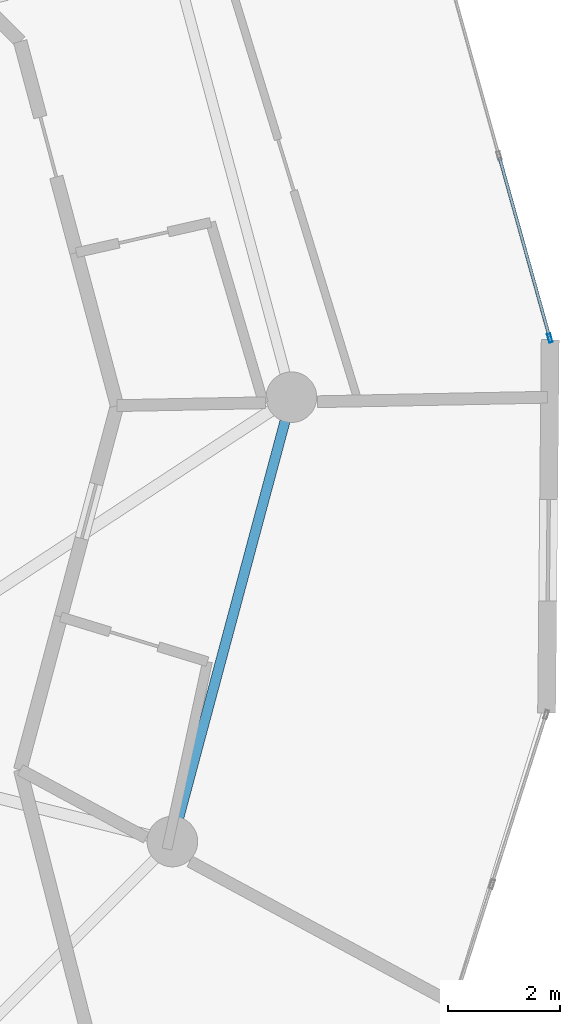
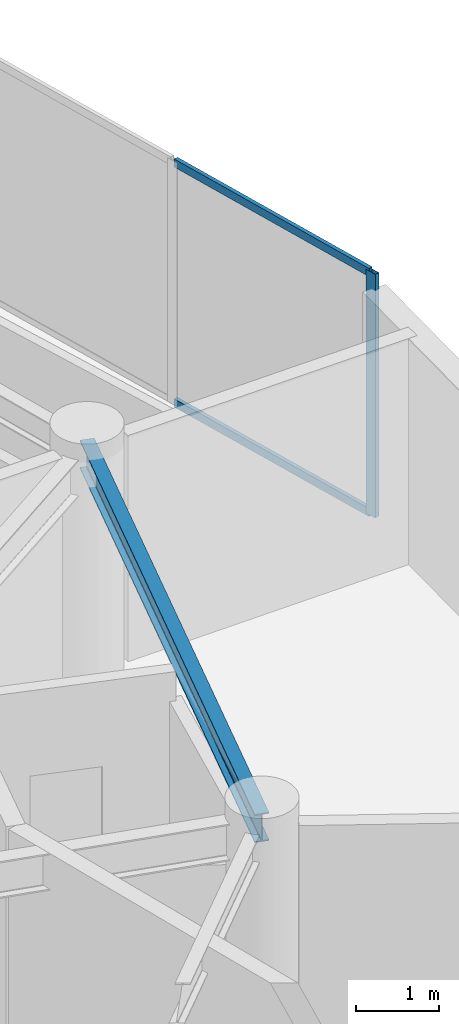
# One storey, part 9 of 20: 3 members, 1 beam, 1 element without a shape of its own.
"""IFC4 building model written with IfcOpenShell, lengths in metres."""

from ifc_helpers import new_model, si_unit, direction, frame, origin, origin_2d, place, context, subcontext, project, spatial, hollow_rectangle, i_section, extrude, source, transform, mapped, material, layer, layer_set, material_profile, profile_set, type_object, element, aggregate, save


model = new_model("IFC4")

# Units and contexts
model_context = context("Model", 3, precision=1e-05, world=origin(), true_north=direction((0.0, 1.0)))
body_context = subcontext(model_context, "Body", "Model", "MODEL_VIEW")
ifc_project = project(units=[si_unit("LENGTHUNIT", "METRE"), si_unit("AREAUNIT", "SQUARE_METRE"), si_unit("VOLUMEUNIT", "CUBIC_METRE"), si_unit("PLANEANGLEUNIT", "RADIAN"), si_unit("MASSUNIT", "GRAM", prefix="KILO")], contexts=[model_context])

# Site, building, storey
site_placement = place(None, origin())
site = spatial("IfcSite", under=ifc_project, at=site_placement, CompositionType="ELEMENT")
building_placement = place(site_placement, origin())
building = spatial("IfcBuilding", under=site, at=building_placement, Name="Solvirekh Grand Hotel", CompositionType="ELEMENT")
storey_placement = place(building_placement, frame((0.0, 0.0, 209.199951171875)))
storey = spatial("IfcBuildingStorey", under=building, at=storey_placement, Name="L54", CompositionType="ELEMENT", Elevation=209.199951171875)

# Beam
ifc_material_1 = material(Name="Steel S355", Category="steel")
ifc_material_profile_1 = material_profile(ifc_material_1, i_section(OverallWidth=0.180908203125, OverallDepth=0.4169921875, WebThickness=0.010009765625, FlangeThickness=0.01611328125, FilletRadius=0.011962890625, at=origin_2d()), Name="W410X85")
ifc_profile_set_1 = profile_set([ifc_material_profile_1], Name="Steel S355")
beam_type = type_object("IfcBeamType", Name="Spandrel_Ring_W410", PredefinedType="SPANDREL", material=ifc_profile_set_1)
beam_placement = place(storey_placement, frame((13.68310546875, -7.89990234375, 3.152099609375), z_axis=(0.258838541915, 0.965920601923, 0.0), x_axis=(-0.965920601923, 0.258838541915, 0.0)))
element("IfcBeam", 1, at=beam_placement, inside=storey, type_object=beam_type, Name="L54 perimeter spandrel beam 12", PredefinedType="SPANDREL", context=body_context, shape_type="SweptSolid", body=[
    extrude(i_section(OverallWidth=0.180908203125, OverallDepth=0.4169921875, WebThickness=0.010009765625, FlangeThickness=0.01611328125, FilletRadius=0.011962890625, at=origin_2d()), origin(), (0.0, 0.0, 1.0), 8.1787109375),
])

# Curtain wall, members
ifc_material_2 = material(Name="Anodized Bronze Aluminium 6063-T6", Category="aluminium")
ifc_layer = layer(ifc_material_2, 0.159912109375)
ifc_layer_set = layer_set([ifc_layer], Name="Anodized Bronze Aluminium 6063-T6")
curtain_wall_type = type_object("IfcCurtainWallType", Name="CW_Sys4_HighZoneFlushBronzeCW", PredefinedType="NOTDEFINED", material=ifc_layer_set)
curtain_wall_placement = place(storey_placement, origin())
curtain_wall = element("IfcCurtainWall", 2, at=curtain_wall_placement, inside=storey, type_object=curtain_wall_type, Name="L54 unitised bronze-glass curtain wall CW-L54-C05", PredefinedType="NOTDEFINED")
ifc_material_profile_2 = material_profile(ifc_material_2, hollow_rectangle(XDim=0.06005859375, YDim=0.159912109375, WallThickness=0.0048828125, at=origin_2d()), Name="ALU RHS 160X60X5")
ifc_profile_set_2 = profile_set([ifc_material_profile_2], Name="Anodized Bronze Aluminium 6063-T6")
member_type_1 = type_object("IfcMemberType", Name="CWMullion_Sys4", PredefinedType="MULLION", material=ifc_profile_set_2)
shared_shape_1 = source(origin(), body_context, "Body", "SweptSolid", [
    extrude(hollow_rectangle(XDim=0.06005859375, YDim=0.159912109375, WallThickness=0.0048828125, at=origin_2d()), origin(), (0.0, 0.0, 1.0), 3.60009765625),
])
member_1_placement = place(storey_placement, frame((20.39404296875, 1.05078125, 0.0), z_axis=(0.0, 0.0, 1.0), x_axis=(-0.963348787982, -0.268251957482, 0.0)))
member_1 = element("IfcMember", 3, at=member_1_placement, type_object=member_type_1, Name="U04 mullion 1", PredefinedType="MULLION", context=body_context, shape_type="MappedRepresentation", body=[
    mapped(shared_shape_1, transform((0.0, 0.0, 0.0), x_axis=(1.0, 0.0, 0.0), y_axis=(0.0, 1.0, 0.0), z_axis=(0.0, 0.0, 1.0), scale=1.0)),
])
ifc_material_profile_3 = material_profile(ifc_material_2, hollow_rectangle(XDim=0.054931640625, YDim=0.1201171875, WallThickness=0.00390625, at=origin_2d()), Name="ALU RHS 120X55X4")
ifc_profile_set_3 = profile_set([ifc_material_profile_3], Name="Anodized Bronze Aluminium 6063-T6")
member_type_2 = type_object("IfcMemberType", Name="CWTransom_Sys4", PredefinedType="USERDEFINED", material=ifc_profile_set_3)
shared_shape_2 = source(origin(), body_context, "Body", "SweptSolid", [
    extrude(hollow_rectangle(XDim=0.054931640625, YDim=0.1201171875, WallThickness=0.00390625, at=origin_2d()), origin(), (0.0, 0.0, 1.0), 3.30224609375),
])
member_2_placement = place(storey_placement, frame((20.385986328125, 1.079833984375, 0.027587890625), z_axis=(-0.268299658053, 0.963335504115, 0.0), x_axis=(-0.963335504115, -0.268299658053, 0.0)))
member_2 = element("IfcMember", 4, at=member_2_placement, type_object=member_type_2, Name="U04 transom 1.1", ObjectType="TRANSOM", PredefinedType="USERDEFINED", context=body_context, shape_type="MappedRepresentation", body=[
    mapped(shared_shape_2, transform((0.0, 0.0, 0.0), x_axis=(1.0, 0.0, 0.0), y_axis=(0.0, 1.0, 0.0), z_axis=(0.0, 0.0, 1.0), scale=1.0)),
])
member_3_placement = place(storey_placement, frame((20.385986328125, 1.079833984375, 3.572509765625), z_axis=(-0.268299658053, 0.963335504115, 0.0), x_axis=(-0.963335504115, -0.268299658053, 0.0)))
member_3 = element("IfcMember", 5, at=member_3_placement, type_object=member_type_2, Name="U04 transom 1.2", ObjectType="TRANSOM", PredefinedType="USERDEFINED", context=body_context, shape_type="MappedRepresentation", body=[
    mapped(shared_shape_2, transform((0.0, 0.0, 0.0), x_axis=(1.0, 0.0, 0.0), y_axis=(0.0, 1.0, 0.0), z_axis=(0.0, 0.0, 1.0), scale=1.0)),
])
aggregate(curtain_wall, [member_1, member_2, member_3])

save(model, "model.ifc")
